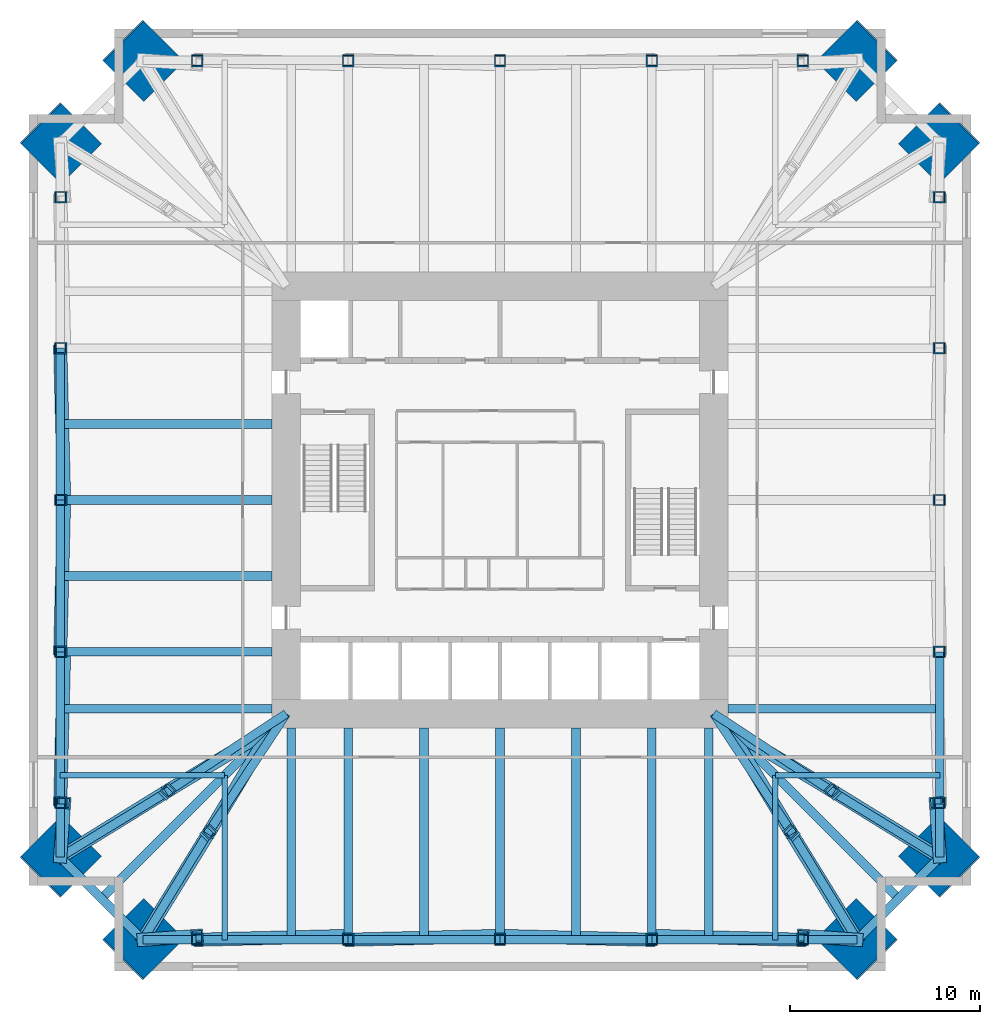
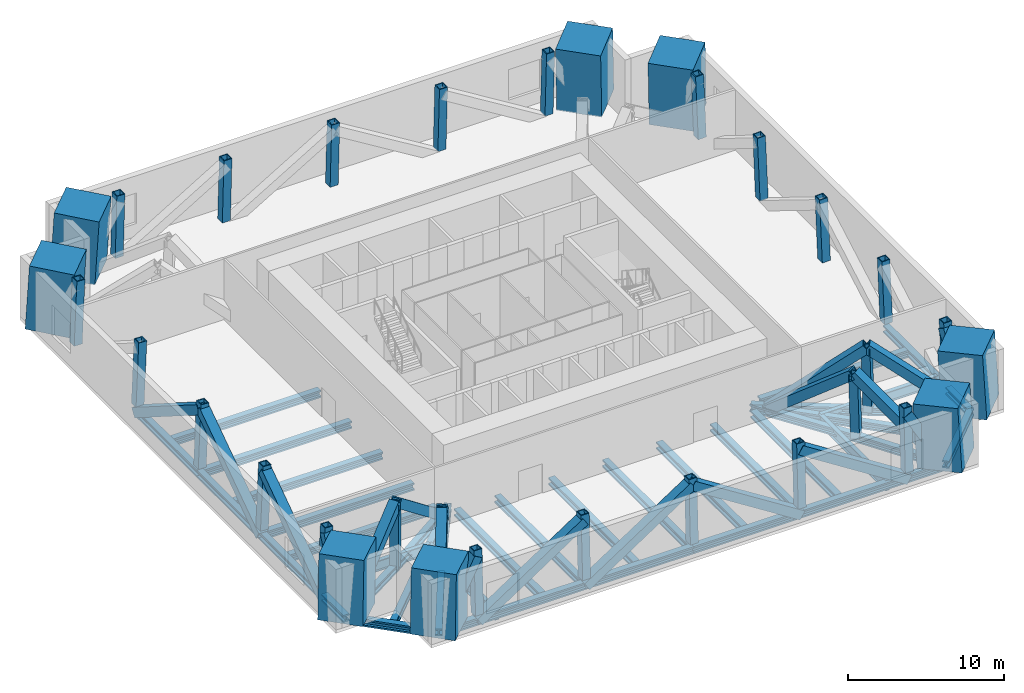
# One storey, part 1 of 6: 43 members, 28 columns, 21 beams.
"""IFC4 building model written with IfcOpenShell, lengths in metres."""

import ifcopenshell
import ifcopenshell.guid

model = None  # the IFC model being written
_history = None  # IfcOwnerHistory: only IFC2X3 demands one
_inside = {}  # id of a spatial element -> (the spatial element, [elements in it])
_under = {}  # id of a project, library or spatial element -> (it, [spatial elements below it])
_declared = {}  # id of a project -> (the project, [libraries it declares])
_typed = {}  # id of a type object -> (the type object, [elements of that type])
_made_of = {}  # id of a material, layer set ... -> (it, [elements and type objects made of it])


def new_model(schema):
    """Start an empty IFC model of exactly this schema.

    Asked for "IFC4X3", IfcOpenShell would pick the latest addendum, in which some entities
    have other attributes; the version numbers below select the first issue.
    IFC2X3 requires an IfcOwnerHistory on every rooted entity: one is made here for all.
    """
    global model, _history
    if schema == "IFC4X3":
        model = ifcopenshell.file(schema_version=(4, 3, 0, 0))
    else:
        model = ifcopenshell.file(schema=schema)
    _inside.clear()
    _under.clear()
    _declared.clear()
    _typed.clear()
    _made_of.clear()
    _history = None
    if model.schema == "IFC2X3":
        org = make("IfcOrganization", Name="unknown")
        user = make(
            "IfcPersonAndOrganization",
            ThePerson=make("IfcPerson", FamilyName="unknown"),
            TheOrganization=org,
        )
        app = make(
            "IfcApplication",
            ApplicationDeveloper=org,
            Version="unknown",
            ApplicationFullName="unknown",
            ApplicationIdentifier="unknown",
        )
        _history = make(
            "IfcOwnerHistory",
            OwningUser=user,
            OwningApplication=app,
            ChangeAction="ADDED",
            CreationDate=0,
        )
    return model


def make(cls, **values):
    """One entity of the class cls with the attributes given. An attribute that is None is left unset."""
    return model.create_entity(
        cls, **{name: value for name, value in values.items() if value is not None}
    )


def rooted(cls, **values):
    """An entity with a GlobalId (a new one), such as an element, a storey or a relation."""
    return make(cls, GlobalId=ifcopenshell.guid.new(), OwnerHistory=_history, **values)


def si_unit(unit_type, name, prefix=None):
    """IfcSIUnit, for example si_unit("LENGTHUNIT", "METRE", prefix="MILLI")."""
    return make("IfcSIUnit", UnitType=unit_type, Prefix=prefix, Name=name)


def assignment(units):
    """IfcUnitAssignment: the units of a project."""
    return None if units is None else make("IfcUnitAssignment", Units=units)


def point(xyz):
    """IfcCartesianPoint."""
    return None if xyz is None else make("IfcCartesianPoint", Coordinates=xyz)


def direction(xyz):
    """IfcDirection."""
    return None if xyz is None else make("IfcDirection", DirectionRatios=xyz)


def frame(location, z_axis=None, x_axis=None):
    """IfcAxis2Placement3D, a coordinate frame: its origin and axes. An axis left out is left unset."""
    return make(
        "IfcAxis2Placement3D",
        Location=point(location),
        Axis=direction(z_axis),
        RefDirection=direction(x_axis),
    )


def frame_2d(location, x_axis=None):
    """IfcAxis2Placement2D, a coordinate frame in the plane: its origin and x axis."""
    return make(
        "IfcAxis2Placement2D", Location=point(location), RefDirection=direction(x_axis)
    )


def origin():
    """The frame at (0, 0, 0) with its axes left unset."""
    return frame((0.0, 0.0, 0.0))


def origin_2d():
    """The frame at (0, 0) in the plane with its x axis left unset."""
    return frame_2d((0.0, 0.0))


def place(relative_to, where):
    """IfcLocalPlacement: puts the frame where relative to a parent placement (None: the world)."""
    return make(
        "IfcLocalPlacement", PlacementRelTo=relative_to, RelativePlacement=where
    )


def context(
    kind, dimensions, precision=None, world=None, true_north=None, identifier=None
):
    """IfcGeometricRepresentationContext, for example the 3D "Model" context."""
    return make(
        "IfcGeometricRepresentationContext",
        ContextIdentifier=identifier,
        ContextType=kind,
        CoordinateSpaceDimension=dimensions,
        Precision=precision,
        WorldCoordinateSystem=world,
        TrueNorth=true_north,
    )


def subcontext(parent, identifier, kind, view, scale=None):
    """IfcGeometricRepresentationSubContext, for example "Body" below "Model"."""
    return make(
        "IfcGeometricRepresentationSubContext",
        ContextIdentifier=identifier,
        ContextType=kind,
        ParentContext=parent,
        TargetScale=scale,
        TargetView=view,
    )


def project(units=None, contexts=None):
    """IfcProject with its units and contexts."""
    return rooted(
        "IfcProject",
        Name="project",
        RepresentationContexts=contexts,
        UnitsInContext=assignment(units),
    )


def spatial(cls, under=None, at=None, **own):
    """A site, building, storey or space (cls), placed at a placement, below another one or the project."""
    s = rooted(cls, ObjectPlacement=at, **own)
    if under is not None:
        _under.setdefault(under.id(), (under, []))[1].append(s)
    return s


def profile(cls, at=None, kind="AREA", **sizes):
    """A parametric profile (cls). Its sizes go by their IFC names, for example OverallWidth=200.0."""
    return make(cls, ProfileType=kind, Position=at, **sizes)


def rectangle(**sizes):
    """IfcRectangleProfileDef."""
    return profile("IfcRectangleProfileDef", **sizes)


def hollow_rectangle(**sizes):
    """IfcRectangleHollowProfileDef."""
    return profile("IfcRectangleHollowProfileDef", **sizes)


def i_section(**sizes):
    """IfcIShapeProfileDef."""
    return profile("IfcIShapeProfileDef", **sizes)


def extrude(swept, where, along, depth):
    """IfcExtrudedAreaSolid: the profile swept, set in the frame where, extruded along a direction by depth."""
    return make(
        "IfcExtrudedAreaSolid",
        SweptArea=swept,
        Position=where,
        ExtrudedDirection=direction(along),
        Depth=depth,
    )


def shape(context_of_items, identifier, shape_type, items):
    """IfcShapeRepresentation: the items that make up one representation, for example the "Body"."""
    return make(
        "IfcShapeRepresentation",
        ContextOfItems=context_of_items,
        RepresentationIdentifier=identifier,
        RepresentationType=shape_type,
        Items=items,
    )


def material(Name=None, Category=None):
    """IfcMaterial."""
    return make("IfcMaterial", Name=Name, Category=Category)


def material_profile(
    of_material, cross_section, Name=None, Category=None, Priority=None
):
    """IfcMaterialProfile: a cross section and its material."""
    return make(
        "IfcMaterialProfile",
        Name=Name,
        Material=of_material,
        Profile=cross_section,
        Priority=Priority,
        Category=Category,
    )


def profile_set(profiles, Name=None, composite=None):
    """IfcMaterialProfileSet."""
    return make(
        "IfcMaterialProfileSet",
        Name=Name,
        MaterialProfiles=profiles,
        CompositeProfile=composite,
    )


def made_of(thing, what):
    """Note that an element or type object is made of a material, layer set ...; save() writes the relation."""
    if what is not None:
        _made_of.setdefault(what.id(), (what, []))[1].append(thing)
    return thing


def type_object(cls, material=None, **own):
    """A type object (cls), such as IfcWallType, which elements share."""
    return made_of(rooted(cls, **own), material)


def element(
    cls,
    number,
    at=None,
    inside=None,
    cuts=None,
    type_object=None,
    material=None,
    context=None,
    identifier="Body",
    shape_type=None,
    held_by="IfcProductDefinitionShape",
    body=None,
    shapes=None,
    **own,
):
    """One element of the class cls, such as IfcWall. Its Tag is "e" and its number.

    at: its placement. inside: the storey or other place that contains it. cuts: it is an
    opening in that element (IfcRelVoidsElement). A single representation is given by context,
    identifier, shape_type and body (its items); several are given by shapes. held_by: the class
    of the entity that holds the representations. save() writes the other relations.
    """
    e = rooted(cls, Tag="e%d" % number, ObjectPlacement=at, **own)
    if body is not None:
        shapes = [shape(context, identifier, shape_type, body)]
    if shapes is not None:
        e.Representation = make(held_by, Representations=shapes)
    if inside is not None:
        _inside.setdefault(inside.id(), (inside, []))[1].append(e)
    if cuts is not None:
        rooted(
            "IfcRelVoidsElement", RelatingBuildingElement=cuts, RelatedOpeningElement=e
        )
    if type_object is not None:
        _typed.setdefault(type_object.id(), (type_object, []))[1].append(e)
    return made_of(e, material)


def aggregate(whole, parts):
    """IfcRelAggregates: a whole, such as a stair, and the parts it consists of."""
    return rooted("IfcRelAggregates", RelatingObject=whole, RelatedObjects=parts)


def save(model, path):
    """Write the relations noted so far, then the file.

    IfcRelAggregates (storeys below a building ...), IfcRelContainedInSpatialStructure (elements
    in a storey), IfcRelDefinesByType, IfcRelAssociatesMaterial and IfcRelDeclares: one each for
    every whole, place, type object, material and project.
    """
    for whole, parts in _under.values():
        aggregate(whole, parts)
    for where, things in _inside.values():
        rooted(
            "IfcRelContainedInSpatialStructure",
            RelatedElements=things,
            RelatingStructure=where,
        )
    for kind, things in _typed.values():
        rooted("IfcRelDefinesByType", RelatedObjects=things, RelatingType=kind)
    for what, things in _made_of.values():
        rooted("IfcRelAssociatesMaterial", RelatedObjects=things, RelatingMaterial=what)
    for by, libraries in _declared.values():
        rooted("IfcRelDeclares", RelatingContext=by, RelatedDefinitions=libraries)
    model.write(path)


model = new_model("IFC4")

# Units and contexts
model_context = context("Model", 3, precision=1e-05, world=origin(), true_north=direction((0.0, 1.0)))
body_context = subcontext(model_context, "Body", "Model", "MODEL_VIEW")
ifc_project = project(units=[si_unit("LENGTHUNIT", "METRE"), si_unit("AREAUNIT", "SQUARE_METRE"), si_unit("VOLUMEUNIT", "CUBIC_METRE"), si_unit("PLANEANGLEUNIT", "RADIAN"), si_unit("MASSUNIT", "GRAM", prefix="KILO")], contexts=[model_context])

# Site, building, storey
site_placement = place(None, origin())
site = spatial("IfcSite", under=ifc_project, at=site_placement, CompositionType="ELEMENT")
building_placement = place(site_placement, origin())
building = spatial("IfcBuilding", under=site, at=building_placement, Name="Peilmerk Tower", CompositionType="ELEMENT")
storey_placement = place(building_placement, frame((0.0, 0.0, 191.800048828125)))
storey = spatial("IfcBuildingStorey", under=building, at=storey_placement, Name="L41", CompositionType="ELEMENT", Elevation=191.800048828125)

# Columns
ifc_material_1 = material(Name="Concrete C90/105", Category="concrete")
ifc_material_profile_1 = material_profile(ifc_material_1, rectangle(XDim=3.0, YDim=3.0, at=origin_2d()), Name="RC 3000x3000")
ifc_profile_set_1 = profile_set([ifc_material_profile_1], Name="Concrete C90/105")
column_type_1 = type_object("IfcColumnType", Name="MC2 3000x3000 encased mega column", PredefinedType="COLUMN", material=ifc_profile_set_1)
for number, where, z_axis, x_axis, name in (
    (1, (18.81298828125, 23.162841796875, 0.0), (-0.040266583883, -0.040266583883, 0.998377285621), (0.707106781187, -0.707106781187, 0.0), "Mega column MC2 NE_N L41"),
    (2, (23.162841796875, 18.81298828125, 0.0), (-0.040266583883, -0.040266583883, 0.998377285621), (0.707106781187, -0.707106781187, 0.0), "Mega column MC2 NE_E L41"),
    (3, (23.162841796875, -18.81298828125, 0.0), (-0.040266583883, 0.040266583883, 0.998377285621), (-0.707106781187, -0.707106781187, 0.0), "Mega column MC2 SE_E L41"),
    (4, (18.81298828125, -23.162841796875, 0.0), (-0.040266583883, 0.040266583883, 0.998377285621), (-0.707106781187, -0.707106781187, 0.0), "Mega column MC2 SE_S L41"),
    (5, (-18.81298828125, -23.162841796875, 0.0), (0.040266583883, 0.040266583883, 0.998377285621), (-0.707106781187, 0.707106781187, 0.0), "Mega column MC2 SW_S L41"),
    (6, (-23.162841796875, -18.81298828125, 0.0), (0.040266583883, 0.040266583883, 0.998377285621), (-0.707106781187, 0.707106781187, 0.0), "Mega column MC2 SW_W L41"),
    (7, (-23.162841796875, 18.81298828125, 0.0), (0.040266583883, -0.040266583883, 0.998377285621), (0.707106781187, 0.707106781187, 0.0), "Mega column MC2 NW_W L41"),
    (8, (-18.81298828125, 23.162841796875, 0.0), (0.040266583883, -0.040266583883, 0.998377285621), (0.707106781187, 0.707106781187, 0.0), "Mega column MC2 NW_N L41"),
):
    element("IfcColumn", number, at=place(storey_placement, frame(where, z_axis=z_axis, x_axis=x_axis)), inside=storey, type_object=column_type_1, Name=name, PredefinedType="COLUMN", context=body_context, shape_type="SweptSolid", body=[
        extrude(rectangle(XDim=3.0, YDim=3.0, at=origin_2d()), origin(), (0.0, 0.0, 1.0), 5.008056640625),
    ])
ifc_material_2 = material(Name="Steel S460", Category="steel")
ifc_material_profile_2 = material_profile(ifc_material_2, hollow_rectangle(XDim=0.60009765625, YDim=0.60009765625, WallThickness=0.06005859375, at=origin_2d()), Name="BOX 600x600x60")
ifc_profile_set_2 = profile_set([ifc_material_profile_2], Name="Steel S460")
column_type_2 = type_object("IfcColumnType", Name="SC9 BOX 600x600x60 belt truss vertical", PredefinedType="COLUMN", material=ifc_profile_set_2)
for number, where, z_axis, x_axis, name in (
    (9, (15.949951171875, 23.162841796875, 0.0), (0.0, -0.040299267708, 0.999187654559), (1.0, 0.0, 0.0), "Belt truss vertical T2 N"),
    (10, (8.0, 23.162841796875, 0.0), (0.0, -0.040299267708, 0.999187654559), (1.0, 0.0, 0.0), "Belt truss vertical T2 N"),
    (11, (0.0, 23.162841796875, 0.0), (0.0, -0.040299267708, 0.999187654559), (1.0, 0.0, 0.0), "Belt truss vertical T2 N"),
    (12, (-8.0, 23.162841796875, 0.0), (0.0, -0.040299267708, 0.999187654559), (1.0, 0.0, 0.0), "Belt truss vertical T2 N"),
    (13, (-15.949951171875, 23.162841796875, 0.0), (0.0, -0.040299267708, 0.999187654559), (1.0, 0.0, 0.0), "Belt truss vertical T2 N"),
    (14, (23.162841796875, -15.949951171875, 0.0), (-0.040299267708, 0.0, 0.999187654559), (0.0, -1.0, 0.0), "Belt truss vertical T2 E"),
    (15, (23.162841796875, -8.0, 0.0), (-0.040299267708, 0.0, 0.999187654559), (0.0, -1.0, 0.0), "Belt truss vertical T2 E"),
    (16, (23.162841796875, 0.0, 0.0), (-0.040299267708, 0.0, 0.999187654559), (0.0, -1.0, 0.0), "Belt truss vertical T2 E"),
    (17, (23.162841796875, 8.0, 0.0), (-0.040299267708, 0.0, 0.999187654559), (0.0, -1.0, 0.0), "Belt truss vertical T2 E"),
    (18, (23.162841796875, 15.949951171875, 0.0), (-0.040299267708, 0.0, 0.999187654559), (0.0, -1.0, 0.0), "Belt truss vertical T2 E"),
    (19, (-15.949951171875, -23.162841796875, 0.0), (0.0, 0.040299267708, 0.999187654559), (-1.0, 0.0, 0.0), "Belt truss vertical T2 S"),
    (20, (-8.0, -23.162841796875, 0.0), (0.0, 0.040299267708, 0.999187654559), (-1.0, 0.0, 0.0), "Belt truss vertical T2 S"),
    (21, (0.0, -23.162841796875, 0.0), (0.0, 0.040299267708, 0.999187654559), (-1.0, 0.0, 0.0), "Belt truss vertical T2 S"),
    (22, (8.0, -23.162841796875, 0.0), (0.0, 0.040299267708, 0.999187654559), (-1.0, 0.0, 0.0), "Belt truss vertical T2 S"),
    (23, (15.949951171875, -23.162841796875, 0.0), (0.0, 0.040299267708, 0.999187654559), (-1.0, 0.0, 0.0), "Belt truss vertical T2 S"),
    (24, (-23.162841796875, 15.949951171875, 0.0), (0.040299267708, 0.0, 0.999187654559), (0.0, 1.0, 0.0), "Belt truss vertical T2 W"),
    (25, (-23.162841796875, 8.0, 0.0), (0.040299267708, 0.0, 0.999187654559), (0.0, 1.0, 0.0), "Belt truss vertical T2 W"),
    (26, (-23.162841796875, 0.0, 0.0), (0.040299267708, 0.0, 0.999187654559), (0.0, 1.0, 0.0), "Belt truss vertical T2 W"),
    (27, (-23.162841796875, -8.0, 0.0), (0.040299267708, 0.0, 0.999187654559), (0.0, 1.0, 0.0), "Belt truss vertical T2 W"),
    (28, (-23.162841796875, -15.949951171875, 0.0), (0.040299267708, 0.0, 0.999187654559), (0.0, 1.0, 0.0), "Belt truss vertical T2 W"),
):
    element("IfcColumn", number, at=place(storey_placement, frame(where, z_axis=z_axis, x_axis=x_axis)), inside=storey, type_object=column_type_2, Name=name, PredefinedType="COLUMN", context=body_context, shape_type="SweptSolid", body=[
        extrude(hollow_rectangle(XDim=0.60009765625, YDim=0.60009765625, WallThickness=0.06005859375, at=origin_2d()), origin(), (0.0, 0.0, 1.0), 5.004150390625),
    ])

# Beams
ifc_material_profile_3 = material_profile(ifc_material_2, i_section(OverallWidth=0.4541015625, OverallDepth=0.569091796875, WebThickness=0.077880859375, FlangeThickness=0.125, at=origin_2d()), Name="HD 400x1086")
ifc_profile_set_3 = profile_set([ifc_material_profile_3], Name="Steel S460")
beam_type_1 = type_object("IfcBeamType", Name="B17 HD 400x1086 edge beam", PredefinedType="SPANDREL", material=ifc_profile_set_3)
for number, where, z_axis, x_axis, name in (
    (29, (23.162841796875, -18.81298828125, -0.53466796875), (-0.707106781187, -0.707106781187, 0.0), (0.707106781187, -0.707106781187, 0.0), "Notch beam L41"),
    (30, (-18.81298828125, -23.162841796875, -0.53466796875), (-0.707106781187, 0.707106781187, 0.0), (-0.707106781187, -0.707106781187, 0.0), "Notch beam L41"),
):
    element("IfcBeam", number, at=place(storey_placement, frame(where, z_axis=z_axis, x_axis=x_axis)), inside=storey, type_object=beam_type_1, Name=name, PredefinedType="SPANDREL", context=body_context, shape_type="SweptSolid", body=[
        extrude(i_section(OverallWidth=0.4541015625, OverallDepth=0.569091796875, WebThickness=0.077880859375, FlangeThickness=0.125, at=origin_2d()), origin(), (0.0, 0.0, 1.0), 6.151611328125),
    ])
ifc_material_profile_4 = material_profile(ifc_material_2, i_section(OverallWidth=0.302978515625, OverallDepth=0.81396484375, WebThickness=0.02099609375, FlangeThickness=0.0400390625, at=origin_2d()), Name="HEM 800")
ifc_profile_set_4 = profile_set([ifc_material_profile_4], Name="Steel S460")
beam_type_2 = type_object("IfcBeamType", Name="B26 HEM 800 floor beam", PredefinedType="BEAM", material=ifc_profile_set_4)
for number, where, z_axis, x_axis, name in (
    (31, (14.5, -14.5, -0.656982421875), (0.0, -1.0, 0.0), (1.0, 0.0, 0.0), "Floor beam L41"),
    (32, (14.5, -14.5, -0.656982421875), (1.0, 0.0, 0.0), (0.0, 1.0, 0.0), "Floor beam L41"),
    (33, (-14.5, -14.5, -0.656982421875), (0.0, -1.0, 0.0), (1.0, 0.0, 0.0), "Floor beam L41"),
    (34, (-14.5, -14.5, -0.656982421875), (-1.0, 0.0, 0.0), (0.0, -1.0, 0.0), "Floor beam L41"),
):
    element("IfcBeam", number, at=place(storey_placement, frame(where, z_axis=z_axis, x_axis=x_axis)), inside=storey, type_object=beam_type_2, Name=name, PredefinedType="BEAM", context=body_context, shape_type="SweptSolid", body=[
        extrude(i_section(OverallWidth=0.302978515625, OverallDepth=0.81396484375, WebThickness=0.02099609375, FlangeThickness=0.0400390625, at=origin_2d()), origin(), (0.0, 0.0, 1.0), 8.662841796875),
    ])
ifc_material_profile_5 = material_profile(ifc_material_2, i_section(OverallWidth=0.4541015625, OverallDepth=0.569091796875, WebThickness=0.077880859375, FlangeThickness=0.125, at=origin_2d()), Name="HD 400x1086")
ifc_profile_set_5 = profile_set([ifc_material_profile_5], Name="Steel S460")
beam_type_3 = type_object("IfcBeamType", Name="B9 HD 400x1086 corner girder", PredefinedType="BEAM", material=ifc_profile_set_5)
for number, where, z_axis, x_axis, name in (
    (35, (12.0, -11.0, -0.53466796875), (1.0, 0.0, 0.0), (0.0, 1.0, 0.0), "Floor beam L41"),
    (36, (-11.0, -12.0, -0.53466796875), (0.0, -1.0, 0.0), (1.0, 0.0, 0.0), "Floor beam L41"),
    (37, (-8.0, -12.0, -0.53466796875), (0.0, -1.0, 0.0), (1.0, 0.0, 0.0), "Floor beam L41"),
    (38, (-4.0, -12.0, -0.53466796875), (0.0, -1.0, 0.0), (1.0, 0.0, 0.0), "Floor beam L41"),
    (39, (0.0, -12.0, -0.53466796875), (0.0, -1.0, 0.0), (1.0, 0.0, 0.0), "Floor beam L41"),
    (40, (4.0, -12.0, -0.53466796875), (0.0, -1.0, 0.0), (1.0, 0.0, 0.0), "Floor beam L41"),
    (41, (8.0, -12.0, -0.53466796875), (0.0, -1.0, 0.0), (1.0, 0.0, 0.0), "Floor beam L41"),
    (42, (11.0, -12.0, -0.53466796875), (0.0, -1.0, 0.0), (1.0, 0.0, 0.0), "Floor beam L41"),
    (43, (-12.0, 4.0, -0.53466796875), (-1.0, 0.0, 0.0), (0.0, -1.0, 0.0), "Floor beam L41"),
    (44, (-12.0, 0.0, -0.53466796875), (-1.0, 0.0, 0.0), (0.0, -1.0, 0.0), "Floor beam L41"),
    (45, (-12.0, -4.0, -0.53466796875), (-1.0, 0.0, 0.0), (0.0, -1.0, 0.0), "Floor beam L41"),
    (46, (-12.0, -8.0, -0.53466796875), (-1.0, 0.0, 0.0), (0.0, -1.0, 0.0), "Floor beam L41"),
    (47, (-12.0, -11.0, -0.53466796875), (-1.0, 0.0, 0.0), (0.0, -1.0, 0.0), "Floor beam L41"),
):
    element("IfcBeam", number, at=place(storey_placement, frame(where, z_axis=z_axis, x_axis=x_axis)), inside=storey, type_object=beam_type_3, Name=name, PredefinedType="BEAM", context=body_context, shape_type="SweptSolid", body=[
        extrude(i_section(OverallWidth=0.4541015625, OverallDepth=0.569091796875, WebThickness=0.077880859375, FlangeThickness=0.125, at=origin_2d()), origin(), (0.0, 0.0, 1.0), 11.162841796875),
    ])
for number, where, z_axis, x_axis, name in (
    (48, (11.25, -11.25, -0.53466796875), (0.707106781187, -0.707106781187, 0.0), (0.707106781187, 0.707106781187, 0.0), "Corner girder L41"),
    (49, (-11.25, -11.25, -0.53466796875), (-0.707106781187, -0.707106781187, 0.0), (0.707106781187, -0.707106781187, 0.0), "Corner girder L41"),
):
    element("IfcBeam", number, at=place(storey_placement, frame(where, z_axis=z_axis, x_axis=x_axis)), inside=storey, type_object=beam_type_3, Name=name, PredefinedType="BEAM", context=body_context, shape_type="SweptSolid", body=[
        extrude(i_section(OverallWidth=0.4541015625, OverallDepth=0.569091796875, WebThickness=0.077880859375, FlangeThickness=0.125, at=origin_2d()), origin(), (0.0, 0.0, 1.0), 13.771240234375),
    ])

# Members
ifc_material_profile_6 = material_profile(ifc_material_2, i_section(OverallWidth=0.4541015625, OverallDepth=0.569091796875, WebThickness=0.077880859375, FlangeThickness=0.125, at=origin_2d()), Name="HD 400x1086")
ifc_profile_set_6 = profile_set([ifc_material_profile_6], Name="Steel S460")
member_type_1 = type_object("IfcMemberType", Name="M1 HD 400x1086 belt truss chord", PredefinedType="CHORD", material=ifc_profile_set_6)
member_1_placement = place(storey_placement, frame((23.162841796875, -18.81298828125, -0.53466796875), z_axis=(0.0, 1.0, 0.0), x_axis=(-1.0, 0.0, 0.0)))
element("IfcMember", 50, at=member_1_placement, inside=storey, type_object=member_type_1, Name="Belt truss chord L41", PredefinedType="CHORD", context=body_context, shape_type="SweptSolid", body=[
    extrude(i_section(OverallWidth=0.4541015625, OverallDepth=0.569091796875, WebThickness=0.077880859375, FlangeThickness=0.125, at=origin_2d()), origin(), (0.0, 0.0, 1.0), 2.81298828125),
])
member_2_placement = place(storey_placement, frame((23.162841796875, -15.949951171875, -0.53466796875), z_axis=(0.0, 1.0, 0.0), x_axis=(-1.0, 0.0, 0.0)))
element("IfcMember", 51, at=member_2_placement, inside=storey, type_object=member_type_1, Name="Belt truss chord L41", PredefinedType="CHORD", context=body_context, shape_type="SweptSolid", body=[
    extrude(i_section(OverallWidth=0.4541015625, OverallDepth=0.569091796875, WebThickness=0.077880859375, FlangeThickness=0.125, at=origin_2d()), origin(), (0.0, 0.0, 1.0), 7.949951171875),
])
member_3_placement = place(storey_placement, frame((-18.81298828125, -23.162841796875, -0.53466796875), z_axis=(1.0, 0.0, 0.0), x_axis=(0.0, 1.0, 0.0)))
element("IfcMember", 52, at=member_3_placement, inside=storey, type_object=member_type_1, Name="Belt truss chord L41", PredefinedType="CHORD", context=body_context, shape_type="SweptSolid", body=[
    extrude(i_section(OverallWidth=0.4541015625, OverallDepth=0.569091796875, WebThickness=0.077880859375, FlangeThickness=0.125, at=origin_2d()), origin(), (0.0, 0.0, 1.0), 2.81298828125),
])
member_4_placement = place(storey_placement, frame((-15.949951171875, -23.162841796875, -0.53466796875), z_axis=(1.0, 0.0, 0.0), x_axis=(0.0, 1.0, 0.0)))
element("IfcMember", 53, at=member_4_placement, inside=storey, type_object=member_type_1, Name="Belt truss chord L41", PredefinedType="CHORD", context=body_context, shape_type="SweptSolid", body=[
    extrude(i_section(OverallWidth=0.4541015625, OverallDepth=0.569091796875, WebThickness=0.077880859375, FlangeThickness=0.125, at=origin_2d()), origin(), (0.0, 0.0, 1.0), 7.949951171875),
])
for number, where, z_axis, x_axis, name in (
    (54, (-8.0, -23.162841796875, -0.53466796875), (1.0, 0.0, 0.0), (0.0, 1.0, 0.0), "Belt truss chord L41"),
    (55, (0.0, -23.162841796875, -0.53466796875), (1.0, 0.0, 0.0), (0.0, 1.0, 0.0), "Belt truss chord L41"),
):
    element("IfcMember", number, at=place(storey_placement, frame(where, z_axis=z_axis, x_axis=x_axis)), inside=storey, type_object=member_type_1, Name=name, PredefinedType="CHORD", context=body_context, shape_type="SweptSolid", body=[
        extrude(i_section(OverallWidth=0.4541015625, OverallDepth=0.569091796875, WebThickness=0.077880859375, FlangeThickness=0.125, at=origin_2d()), origin(), (0.0, 0.0, 1.0), 8.0),
    ])
member_5_placement = place(storey_placement, frame((8.0, -23.162841796875, -0.53466796875), z_axis=(1.0, 0.0, 0.0), x_axis=(0.0, 1.0, 0.0)))
element("IfcMember", 56, at=member_5_placement, inside=storey, type_object=member_type_1, Name="Belt truss chord L41", PredefinedType="CHORD", context=body_context, shape_type="SweptSolid", body=[
    extrude(i_section(OverallWidth=0.4541015625, OverallDepth=0.569091796875, WebThickness=0.077880859375, FlangeThickness=0.125, at=origin_2d()), origin(), (0.0, 0.0, 1.0), 7.949951171875),
])
member_6_placement = place(storey_placement, frame((16.0, -23.162841796875, -0.53466796875), z_axis=(1.0, 0.0, 0.0), x_axis=(0.0, 1.0, 0.0)))
element("IfcMember", 57, at=member_6_placement, inside=storey, type_object=member_type_1, Name="Belt truss chord L41", PredefinedType="CHORD", context=body_context, shape_type="SweptSolid", body=[
    extrude(i_section(OverallWidth=0.4541015625, OverallDepth=0.569091796875, WebThickness=0.077880859375, FlangeThickness=0.125, at=origin_2d()), origin(), (0.0, 0.0, 1.0), 2.81298828125),
])
for number, where, z_axis, x_axis, name in (
    (58, (-23.162841796875, 8.0, -0.53466796875), (0.0, -1.0, 0.0), (1.0, 0.0, 0.0), "Belt truss chord L41"),
    (59, (-23.162841796875, 0.0, -0.53466796875), (0.0, -1.0, 0.0), (1.0, 0.0, 0.0), "Belt truss chord L41"),
):
    element("IfcMember", number, at=place(storey_placement, frame(where, z_axis=z_axis, x_axis=x_axis)), inside=storey, type_object=member_type_1, Name=name, PredefinedType="CHORD", context=body_context, shape_type="SweptSolid", body=[
        extrude(i_section(OverallWidth=0.4541015625, OverallDepth=0.569091796875, WebThickness=0.077880859375, FlangeThickness=0.125, at=origin_2d()), origin(), (0.0, 0.0, 1.0), 8.0),
    ])
member_7_placement = place(storey_placement, frame((-23.162841796875, -8.0, -0.53466796875), z_axis=(0.0, -1.0, 0.0), x_axis=(1.0, 0.0, 0.0)))
element("IfcMember", 60, at=member_7_placement, inside=storey, type_object=member_type_1, Name="Belt truss chord L41", PredefinedType="CHORD", context=body_context, shape_type="SweptSolid", body=[
    extrude(i_section(OverallWidth=0.4541015625, OverallDepth=0.569091796875, WebThickness=0.077880859375, FlangeThickness=0.125, at=origin_2d()), origin(), (0.0, 0.0, 1.0), 7.949951171875),
])
member_8_placement = place(storey_placement, frame((-23.162841796875, -16.0, -0.53466796875), z_axis=(0.0, -1.0, 0.0), x_axis=(1.0, 0.0, 0.0)))
element("IfcMember", 61, at=member_8_placement, inside=storey, type_object=member_type_1, Name="Belt truss chord L41", PredefinedType="CHORD", context=body_context, shape_type="SweptSolid", body=[
    extrude(i_section(OverallWidth=0.4541015625, OverallDepth=0.569091796875, WebThickness=0.077880859375, FlangeThickness=0.125, at=origin_2d()), origin(), (0.0, 0.0, 1.0), 2.81298828125),
])
member_9_placement = place(storey_placement, frame((11.25, -11.25, -0.53466796875), z_axis=(0.83596195736, -0.548787395853, 0.0), x_axis=(0.548787395853, 0.83596195736, 0.0)))
element("IfcMember", 62, at=member_9_placement, inside=storey, type_object=member_type_1, Name="Outrigger chord T2 SE", PredefinedType="CHORD", context=body_context, shape_type="SweptSolid", body=[
    extrude(i_section(OverallWidth=0.4541015625, OverallDepth=0.569091796875, WebThickness=0.077880859375, FlangeThickness=0.125, at=origin_2d()), origin(), (0.0, 0.0, 1.0), 7.573974609375),
])
member_10_placement = place(storey_placement, frame((17.58154296875, -15.406494140625, -0.53466796875), z_axis=(0.853574274891, -0.520971167383, 0.0), x_axis=(0.520971167383, 0.853574274891, 0.0)))
element("IfcMember", 63, at=member_10_placement, inside=storey, type_object=member_type_1, Name="Outrigger chord T2 SE", PredefinedType="CHORD", context=body_context, shape_type="SweptSolid", body=[
    extrude(i_section(OverallWidth=0.4541015625, OverallDepth=0.569091796875, WebThickness=0.077880859375, FlangeThickness=0.125, at=origin_2d()), origin(), (0.0, 0.0, 1.0), 6.538818359375),
])
member_11_placement = place(storey_placement, frame((11.25, -11.25, -0.53466796875), z_axis=(0.548787395853, -0.83596195736, 0.0), x_axis=(0.83596195736, 0.548787395853, 0.0)))
element("IfcMember", 64, at=member_11_placement, inside=storey, type_object=member_type_1, Name="Outrigger chord T2 SE", PredefinedType="CHORD", context=body_context, shape_type="SweptSolid", body=[
    extrude(i_section(OverallWidth=0.4541015625, OverallDepth=0.569091796875, WebThickness=0.077880859375, FlangeThickness=0.125, at=origin_2d()), origin(), (0.0, 0.0, 1.0), 7.573974609375),
])
member_12_placement = place(storey_placement, frame((15.406494140625, -17.58154296875, -0.53466796875), z_axis=(0.520971167383, -0.853574274891, 0.0), x_axis=(0.853574274891, 0.520971167383, 0.0)))
element("IfcMember", 65, at=member_12_placement, inside=storey, type_object=member_type_1, Name="Outrigger chord T2 SE", PredefinedType="CHORD", context=body_context, shape_type="SweptSolid", body=[
    extrude(i_section(OverallWidth=0.4541015625, OverallDepth=0.569091796875, WebThickness=0.077880859375, FlangeThickness=0.125, at=origin_2d()), origin(), (0.0, 0.0, 1.0), 6.538818359375),
])
member_13_placement = place(storey_placement, frame((-11.25, -11.25, -0.53466796875), z_axis=(-0.548787395853, -0.83596195736, 0.0), x_axis=(0.83596195736, -0.548787395853, 0.0)))
element("IfcMember", 66, at=member_13_placement, inside=storey, type_object=member_type_1, Name="Outrigger chord T2 SW", PredefinedType="CHORD", context=body_context, shape_type="SweptSolid", body=[
    extrude(i_section(OverallWidth=0.4541015625, OverallDepth=0.569091796875, WebThickness=0.077880859375, FlangeThickness=0.125, at=origin_2d()), origin(), (0.0, 0.0, 1.0), 7.573974609375),
])
member_14_placement = place(storey_placement, frame((-15.406494140625, -17.58154296875, -0.53466796875), z_axis=(-0.520971167383, -0.853574274891, 0.0), x_axis=(0.853574274891, -0.520971167383, 0.0)))
element("IfcMember", 67, at=member_14_placement, inside=storey, type_object=member_type_1, Name="Outrigger chord T2 SW", PredefinedType="CHORD", context=body_context, shape_type="SweptSolid", body=[
    extrude(i_section(OverallWidth=0.4541015625, OverallDepth=0.569091796875, WebThickness=0.077880859375, FlangeThickness=0.125, at=origin_2d()), origin(), (0.0, 0.0, 1.0), 6.538818359375),
])
member_15_placement = place(storey_placement, frame((-11.25, -11.25, -0.53466796875), z_axis=(-0.83596195736, -0.548787395853, 0.0), x_axis=(0.548787395853, -0.83596195736, 0.0)))
element("IfcMember", 68, at=member_15_placement, inside=storey, type_object=member_type_1, Name="Outrigger chord T2 SW", PredefinedType="CHORD", context=body_context, shape_type="SweptSolid", body=[
    extrude(i_section(OverallWidth=0.4541015625, OverallDepth=0.569091796875, WebThickness=0.077880859375, FlangeThickness=0.125, at=origin_2d()), origin(), (0.0, 0.0, 1.0), 7.573974609375),
])
member_16_placement = place(storey_placement, frame((-17.58154296875, -15.406494140625, -0.53466796875), z_axis=(-0.853574274891, -0.520971167383, 0.0), x_axis=(0.520971167383, -0.853574274891, 0.0)))
element("IfcMember", 69, at=member_16_placement, inside=storey, type_object=member_type_1, Name="Outrigger chord T2 SW", PredefinedType="CHORD", context=body_context, shape_type="SweptSolid", body=[
    extrude(i_section(OverallWidth=0.4541015625, OverallDepth=0.569091796875, WebThickness=0.077880859375, FlangeThickness=0.125, at=origin_2d()), origin(), (0.0, 0.0, 1.0), 6.538818359375),
])
ifc_material_profile_7 = material_profile(ifc_material_2, hollow_rectangle(XDim=0.60009765625, YDim=0.60009765625, WallThickness=0.06005859375, at=origin_2d()), Name="BOX 600x600x60")
ifc_profile_set_7 = profile_set([ifc_material_profile_7], Name="Steel S460")
member_type_2 = type_object("IfcMemberType", Name="M3 BOX 600x600x60 outrigger post", PredefinedType="POST", material=ifc_profile_set_7)
for number, where, z_axis, x_axis, name in (
    (70, (17.58154296875, -15.406494140625, -0.53466796875), (-0.020157819747, 0.020157819747, 0.999593579714), (-0.707106781187, -0.707106781187, 0.0), "Outrigger post T2 SE"),
    (71, (15.406494140625, -17.58154296875, -0.53466796875), (-0.020157819747, 0.020157819747, 0.999593579714), (-0.707106781187, -0.707106781187, 0.0), "Outrigger post T2 SE"),
    (72, (-15.406494140625, -17.58154296875, -0.53466796875), (0.020157819747, 0.020157819747, 0.999593579714), (-0.707106781187, 0.707106781187, 0.0), "Outrigger post T2 SW"),
    (73, (-17.58154296875, -15.406494140625, -0.53466796875), (0.020157819747, 0.020157819747, 0.999593579714), (-0.707106781187, 0.707106781187, 0.0), "Outrigger post T2 SW"),
):
    element("IfcMember", number, at=place(storey_placement, frame(where, z_axis=z_axis, x_axis=x_axis)), inside=storey, type_object=member_type_2, Name=name, PredefinedType="POST", context=body_context, shape_type="SweptSolid", body=[
        extrude(hollow_rectangle(XDim=0.60009765625, YDim=0.60009765625, WallThickness=0.06005859375, at=origin_2d()), origin(), (0.0, 0.0, 1.0), 5.001953125),
    ])
ifc_material_profile_8 = material_profile(ifc_material_2, hollow_rectangle(XDim=0.699951171875, YDim=0.699951171875, WallThickness=0.080078125, at=origin_2d()), Name="BOX 700x700x80")
ifc_profile_set_8 = profile_set([ifc_material_profile_8], Name="Steel S460")
member_type_3 = type_object("IfcMemberType", Name="M4 BOX 700x700x80 outrigger diagonal", PredefinedType="BRACE", material=ifc_profile_set_8)
for number, where, z_axis, x_axis, name in (
    (74, (23.162841796875, -18.81298828125, -0.53466796875), (-0.034978803945, 0.496605852134, 0.867271071177), (-0.997528594851, -0.070261671301, 0.0), "Belt truss diagonal T2 E"),
    (75, (-18.81298828125, -23.162841796875, -0.53466796875), (0.496605852134, 0.034978803945, 0.867271071177), (-0.070261671301, 0.997528594851, 0.0), "Belt truss diagonal T2 S"),
):
    element("IfcMember", number, at=place(storey_placement, frame(where, z_axis=z_axis, x_axis=x_axis)), inside=storey, type_object=member_type_3, Name=name, PredefinedType="BRACE", context=body_context, shape_type="SweptSolid", body=[
        extrude(hollow_rectangle(XDim=0.699951171875, YDim=0.699951171875, WallThickness=0.080078125, at=origin_2d()), origin(), (0.0, 0.0, 1.0), 5.76513671875),
    ])
member_17_placement = place(storey_placement, frame((-15.949951171875, -23.162841796875, -0.53466796875), z_axis=(0.846302899919, 0.02146749978, 0.532269243938), x_axis=(-0.025358056244, 0.999678432789, 0.0)))
element("IfcMember", 76, at=member_17_placement, inside=storey, type_object=member_type_3, Name="Belt truss diagonal T2 S", PredefinedType="BRACE", context=body_context, shape_type="SweptSolid", body=[
    extrude(hollow_rectangle(XDim=0.699951171875, YDim=0.699951171875, WallThickness=0.080078125, at=origin_2d()), origin(), (0.0, 0.0, 1.0), 9.393798828125),
])
for number, where, z_axis, x_axis, name in (
    (77, (-8.0, -23.162841796875, -0.53466796875), (0.847804632209, 0.021371051825, 0.529877895131), (-0.025199514677, 0.999682441808, 0.0), "Belt truss diagonal T2 S"),
    (78, (8.0, -23.162841796875, -0.53466796875), (-0.847804632209, 0.021371051825, 0.529877895131), (-0.025199514677, -0.999682441808, 0.0), "Belt truss diagonal T2 S"),
):
    element("IfcMember", number, at=place(storey_placement, frame(where, z_axis=z_axis, x_axis=x_axis)), inside=storey, type_object=member_type_3, Name=name, PredefinedType="BRACE", context=body_context, shape_type="SweptSolid", body=[
        extrude(hollow_rectangle(XDim=0.699951171875, YDim=0.699951171875, WallThickness=0.080078125, at=origin_2d()), origin(), (0.0, 0.0, 1.0), 9.43603515625),
    ])
member_18_placement = place(storey_placement, frame((15.949951171875, -23.162841796875, -0.53466796875), z_axis=(-0.846302899919, 0.02146749978, 0.532269243938), x_axis=(-0.025358056244, -0.999678432789, 0.0)))
element("IfcMember", 79, at=member_18_placement, inside=storey, type_object=member_type_3, Name="Belt truss diagonal T2 S", PredefinedType="BRACE", context=body_context, shape_type="SweptSolid", body=[
    extrude(hollow_rectangle(XDim=0.699951171875, YDim=0.699951171875, WallThickness=0.080078125, at=origin_2d()), origin(), (0.0, 0.0, 1.0), 9.393798828125),
])
member_19_placement = place(storey_placement, frame((18.81298828125, -23.162841796875, -0.53466796875), z_axis=(-0.496605852134, 0.034978803945, 0.867271071177), x_axis=(-0.070261671301, -0.997528594851, 0.0)))
element("IfcMember", 80, at=member_19_placement, inside=storey, type_object=member_type_3, Name="Belt truss diagonal T2 S", PredefinedType="BRACE", context=body_context, shape_type="SweptSolid", body=[
    extrude(hollow_rectangle(XDim=0.699951171875, YDim=0.699951171875, WallThickness=0.080078125, at=origin_2d()), origin(), (0.0, 0.0, 1.0), 5.76513671875),
])
for number, where, z_axis, x_axis, name in (
    (81, (-23.162841796875, 8.0, -0.53466796875), (0.021371051825, -0.847804632209, 0.529877895131), (0.999682441808, 0.025199514677, 0.0), "Belt truss diagonal T2 W"),
    (82, (-23.162841796875, -8.0, -0.53466796875), (0.021371051825, 0.847804632209, 0.529877895131), (-0.999682441808, 0.025199514677, 0.0), "Belt truss diagonal T2 W"),
):
    element("IfcMember", number, at=place(storey_placement, frame(where, z_axis=z_axis, x_axis=x_axis)), inside=storey, type_object=member_type_3, Name=name, PredefinedType="BRACE", context=body_context, shape_type="SweptSolid", body=[
        extrude(hollow_rectangle(XDim=0.699951171875, YDim=0.699951171875, WallThickness=0.080078125, at=origin_2d()), origin(), (0.0, 0.0, 1.0), 9.43603515625),
    ])
member_20_placement = place(storey_placement, frame((-23.162841796875, -15.949951171875, -0.53466796875), z_axis=(0.02146749978, 0.846302899919, 0.532269243938), x_axis=(-0.999678432789, 0.025358056244, 0.0)))
element("IfcMember", 83, at=member_20_placement, inside=storey, type_object=member_type_3, Name="Belt truss diagonal T2 W", PredefinedType="BRACE", context=body_context, shape_type="SweptSolid", body=[
    extrude(hollow_rectangle(XDim=0.699951171875, YDim=0.699951171875, WallThickness=0.080078125, at=origin_2d()), origin(), (0.0, 0.0, 1.0), 9.393798828125),
])
member_21_placement = place(storey_placement, frame((-23.162841796875, -18.81298828125, -0.53466796875), z_axis=(0.034978803945, 0.496605852134, 0.867271071177), x_axis=(-0.997528594851, 0.070261671301, 0.0)))
element("IfcMember", 84, at=member_21_placement, inside=storey, type_object=member_type_3, Name="Belt truss diagonal T2 W", PredefinedType="BRACE", context=body_context, shape_type="SweptSolid", body=[
    extrude(hollow_rectangle(XDim=0.699951171875, YDim=0.699951171875, WallThickness=0.080078125, at=origin_2d()), origin(), (0.0, 0.0, 1.0), 5.76513671875),
])
member_22_placement = place(storey_placement, frame((12.0, -12.0, -0.53466796875), z_axis=(0.67480485582, -0.407005111488, 0.615617775722), x_axis=(0.51647452427, 0.856302555047, 0.0)))
element("IfcMember", 85, at=member_22_placement, inside=storey, type_object=member_type_3, Name="Outrigger diagonal T2", PredefinedType="BRACE", context=body_context, shape_type="SweptSolid", body=[
    extrude(hollow_rectangle(XDim=0.699951171875, YDim=0.699951171875, WallThickness=0.080078125, at=origin_2d()), origin(), (0.0, 0.0, 1.0), 8.121826171875),
])
member_23_placement = place(storey_placement, frame((23.162841796875, -18.81298828125, -0.53466796875), z_axis=(-0.681152224011, 0.420444824703, 0.599381178471), x_axis=(-0.52525155411, -0.850947004757, 0.0)))
element("IfcMember", 86, at=member_23_placement, inside=storey, type_object=member_type_3, Name="Outrigger diagonal T2", PredefinedType="BRACE", context=body_context, shape_type="SweptSolid", body=[
    extrude(hollow_rectangle(XDim=0.699951171875, YDim=0.699951171875, WallThickness=0.080078125, at=origin_2d()), origin(), (0.0, 0.0, 1.0), 8.342041015625),
])
member_24_placement = place(storey_placement, frame((12.0, -12.0, -0.53466796875), z_axis=(0.407005111488, -0.67480485582, 0.615617775722), x_axis=(0.856302555047, 0.51647452427, 0.0)))
element("IfcMember", 87, at=member_24_placement, inside=storey, type_object=member_type_3, Name="Outrigger diagonal T2", PredefinedType="BRACE", context=body_context, shape_type="SweptSolid", body=[
    extrude(hollow_rectangle(XDim=0.699951171875, YDim=0.699951171875, WallThickness=0.080078125, at=origin_2d()), origin(), (0.0, 0.0, 1.0), 8.121826171875),
])
member_25_placement = place(storey_placement, frame((18.81298828125, -23.162841796875, -0.53466796875), z_axis=(-0.420444824703, 0.681152224011, 0.599381178471), x_axis=(-0.850947004757, -0.52525155411, 0.0)))
element("IfcMember", 88, at=member_25_placement, inside=storey, type_object=member_type_3, Name="Outrigger diagonal T2", PredefinedType="BRACE", context=body_context, shape_type="SweptSolid", body=[
    extrude(hollow_rectangle(XDim=0.699951171875, YDim=0.699951171875, WallThickness=0.080078125, at=origin_2d()), origin(), (0.0, 0.0, 1.0), 8.342041015625),
])
member_26_placement = place(storey_placement, frame((-12.0, -12.0, -0.53466796875), z_axis=(-0.407005111488, -0.67480485582, 0.615617775722), x_axis=(0.856302555047, -0.51647452427, 0.0)))
element("IfcMember", 89, at=member_26_placement, inside=storey, type_object=member_type_3, Name="Outrigger diagonal T2", PredefinedType="BRACE", context=body_context, shape_type="SweptSolid", body=[
    extrude(hollow_rectangle(XDim=0.699951171875, YDim=0.699951171875, WallThickness=0.080078125, at=origin_2d()), origin(), (0.0, 0.0, 1.0), 8.121826171875),
])
member_27_placement = place(storey_placement, frame((-18.81298828125, -23.162841796875, -0.53466796875), z_axis=(0.420444824703, 0.681152224011, 0.599381178471), x_axis=(-0.850947004757, 0.52525155411, 0.0)))
element("IfcMember", 90, at=member_27_placement, inside=storey, type_object=member_type_3, Name="Outrigger diagonal T2", PredefinedType="BRACE", context=body_context, shape_type="SweptSolid", body=[
    extrude(hollow_rectangle(XDim=0.699951171875, YDim=0.699951171875, WallThickness=0.080078125, at=origin_2d()), origin(), (0.0, 0.0, 1.0), 8.342041015625),
])
member_28_placement = place(storey_placement, frame((-12.0, -12.0, -0.53466796875), z_axis=(-0.67480485582, -0.407005111488, 0.615617775722), x_axis=(0.51647452427, -0.856302555047, 0.0)))
element("IfcMember", 91, at=member_28_placement, inside=storey, type_object=member_type_3, Name="Outrigger diagonal T2", PredefinedType="BRACE", context=body_context, shape_type="SweptSolid", body=[
    extrude(hollow_rectangle(XDim=0.699951171875, YDim=0.699951171875, WallThickness=0.080078125, at=origin_2d()), origin(), (0.0, 0.0, 1.0), 8.121826171875),
])
member_29_placement = place(storey_placement, frame((-23.162841796875, -18.81298828125, -0.53466796875), z_axis=(0.681152224011, 0.420444824703, 0.599381178471), x_axis=(-0.52525155411, 0.850947004757, 0.0)))
element("IfcMember", 92, at=member_29_placement, inside=storey, type_object=member_type_3, Name="Outrigger diagonal T2", PredefinedType="BRACE", context=body_context, shape_type="SweptSolid", body=[
    extrude(hollow_rectangle(XDim=0.699951171875, YDim=0.699951171875, WallThickness=0.080078125, at=origin_2d()), origin(), (0.0, 0.0, 1.0), 8.342041015625),
])

save(model, "model.ifc")
